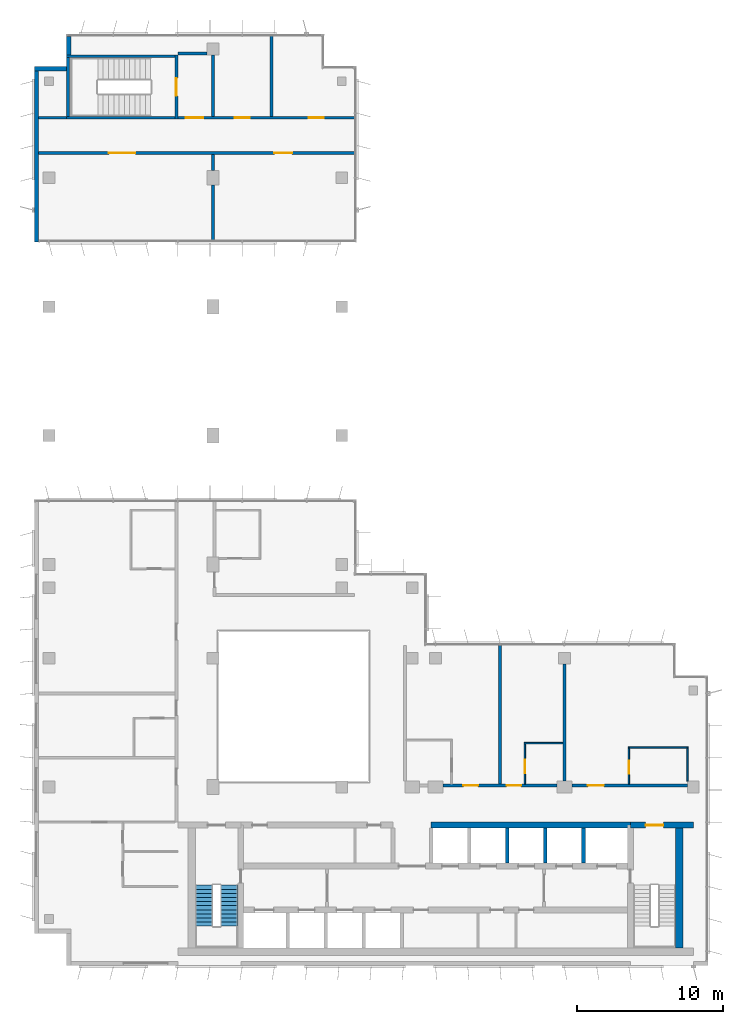
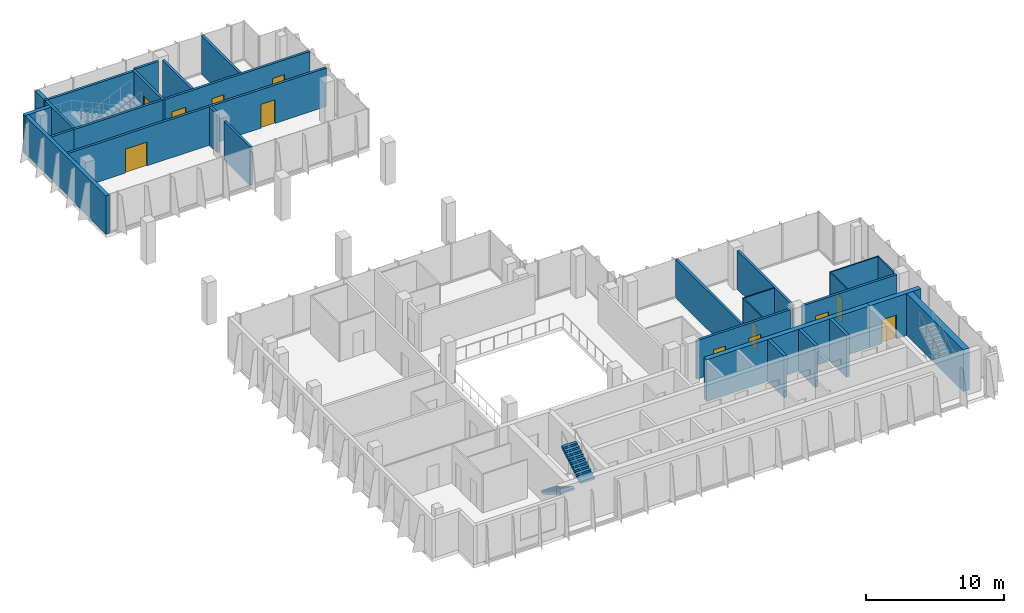
# One storey, part 11 of 14: 30 walls, 12 doors, 2 stair flights, 12 openings, 1 element without a shape of its own.
"""IFC4 building model written with IfcOpenShell, lengths in metres."""

from ifc_helpers import new_model, si_unit, direction, frame, frame_2d, origin, place, context, subcontext, project, spatial, polyline, rectangle, outline, extrude, material, layer, layer_set, type_object, element, fill, aggregate, save


model = new_model("IFC4")

# Units and contexts
model_context = context("Model", 3, precision=1e-05, world=origin(), true_north=direction((0.0, 1.0)))
body_context = subcontext(model_context, "Body", "Model", "MODEL_VIEW")
ifc_project = project(units=[si_unit("LENGTHUNIT", "METRE"), si_unit("AREAUNIT", "SQUARE_METRE"), si_unit("VOLUMEUNIT", "CUBIC_METRE"), si_unit("PLANEANGLEUNIT", "RADIAN"), si_unit("MASSUNIT", "GRAM", prefix="KILO")], contexts=[model_context])

# Site, building, storey
site_placement = place(None, origin())
site = spatial("IfcSite", under=ifc_project, at=site_placement, CompositionType="ELEMENT")
building_placement = place(site_placement, origin())
building = spatial("IfcBuilding", under=site, at=building_placement, Name="Kemantara Hotel Tower", CompositionType="ELEMENT")
storey_placement = place(building_placement, frame((0.0, 0.0, 245.0)))
storey = spatial("IfcBuildingStorey", under=building, at=storey_placement, Name="L61", CompositionType="ELEMENT", Elevation=245.0)

# Walls
ifc_material_1 = material(Name="Bronze anodised aluminium cladding on insulated steel stud wall", Category="steel")
ifc_layer_1 = layer(ifc_material_1, 0.300048828125)
ifc_layer_set_1 = layer_set([ifc_layer_1], Name="Bronze anodised aluminium cladding on insulated steel stud wall")
wall_type_1 = type_object("IfcWallType", Name="BRONZE METAL-CLAD EXTERNAL WALL 300", PredefinedType="STANDARD", material=ifc_layer_set_1)
wall_1_placement = place(storey_placement, frame((2.35009765625, 63.449951171875, 0.0), z_axis=(0.0, 0.0, 1.0), x_axis=(0.0, -1.0, 0.0)))
element("IfcWall", 1, at=wall_1_placement, inside=storey, type_object=wall_type_1, Name="EXTERNAL WALL L61 T4P-R17", PredefinedType="STANDARD", context=body_context, shape_type="SweptSolid", body=[
    extrude(rectangle(XDim=1.25, YDim=0.300048828125, at=frame_2d((0.625, 0.0))), origin(), (0.0, 0.0, 1.0), 3.39990234375),
])
wall_2_placement = place(storey_placement, frame((2.199951171875, 61.25, 0.0), z_axis=(0.0, 0.0, 1.0), x_axis=(-1.0, 0.0, 0.0)))
element("IfcWall", 2, at=wall_2_placement, inside=storey, type_object=wall_type_1, Name="EXTERNAL WALL L61 T4P-R18", PredefinedType="STANDARD", context=body_context, shape_type="SweptSolid", body=[
    extrude(rectangle(XDim=2.199951171875, YDim=0.300048828125, at=frame_2d((1.10009765625, 0.0))), origin(), (0.0, 0.0, 1.0), 3.39990234375),
])
wall_3_placement = place(storey_placement, frame((0.14990234375, 61.10009765625, 0.0), z_axis=(0.0, 0.0, 1.0), x_axis=(0.0, -1.0, 0.0)))
element("IfcWall", 3, at=wall_3_placement, inside=storey, type_object=wall_type_1, Name="EXTERNAL WALL L61 T4P-R19", PredefinedType="STANDARD", context=body_context, shape_type="SweptSolid", body=[
    extrude(rectangle(XDim=11.7001953125, YDim=0.300048828125, at=frame_2d((5.85009765625, 0.0))), origin(), (0.0, 0.0, 1.0), 3.39990234375),
])
ifc_material_2 = material(Name="Concrete fc 60 MPa", Category="concrete")
ifc_layer_2 = layer(ifc_material_2, 0.25)
ifc_layer_set_2 = layer_set([ifc_layer_2], Name="Concrete fc 60 MPa")
wall_type_2 = type_object("IfcWallType", Name="CORE WALL 250 FC60", PredefinedType="SHEAR", material=ifc_layer_set_2)
for number, where, z_axis, x_axis, name in (
    (4, (32.300048828125, 7.0, 0.0), (0.0, 0.0, 1.0), (0.0, 1.0, 0.0), "CORE WALL CW-DN32.3"),
    (5, (34.89990234375, 7.0, 0.0), (0.0, 0.0, 1.0), (0.0, 1.0, 0.0), "CORE WALL CW-DN34.9"),
    (6, (37.5, 7.0, 0.0), (0.0, 0.0, 1.0), (0.0, 1.0, 0.0), "CORE WALL CW-DN37.5"),
):
    element("IfcWall", number, at=place(storey_placement, frame(where, z_axis=z_axis, x_axis=x_axis)), inside=storey, type_object=wall_type_2, Name=name, PredefinedType="SHEAR", context=body_context, shape_type="SweptSolid", body=[
        extrude(rectangle(XDim=2.39990234375, YDim=0.25, at=frame_2d((1.199951171875, 0.0))), origin(), (0.0, 0.0, 1.0), 3.699951171875),
    ])

# Wall, opening, door
ifc_layer_3 = layer(ifc_material_2, 0.39990234375)
ifc_layer_set_3 = layer_set([ifc_layer_3], Name="Concrete fc 60 MPa")
wall_type_3 = type_object("IfcWallType", Name="CORE WALL 400 FC60", PredefinedType="SHEAR", material=ifc_layer_set_3)
wall_4_placement = place(storey_placement, frame((40.699951171875, 9.60009765625, 0.0), z_axis=(0.0, 0.0, 1.0), x_axis=(1.0, 0.0, 0.0)))
wall_4 = element("IfcWall", 7, at=wall_4_placement, inside=storey, type_object=wall_type_3, Name="CORE WALL CW-N2", PredefinedType="SHEAR", context=body_context, shape_type="SweptSolid", body=[
    extrude(rectangle(XDim=4.300048828125, YDim=0.39990234375, at=frame_2d((2.14990234375, 0.0))), origin(), (0.0, 0.0, 1.0), 3.699951171875),
])
opening_1_placement = place(wall_4_placement, frame((1.050048828125, 0.0, 0.0)))
opening_1 = element("IfcOpeningElement", 8, at=opening_1_placement, cuts=wall_4, Name="Opening C36-ST2-C", PredefinedType="OPENING", context=body_context, shape_type="SweptSolid", body=[
    extrude(rectangle(XDim=1.199951171875, YDim=2.10009765625, at=frame_2d((0.60009765625, 1.050048828125))), frame((0.0, 0.2099609375, 0.0), z_axis=(0.0, -1.0, 0.0), x_axis=(1.0, 0.0, 0.0)), (0.0, 0.0, 1.0), 0.419921875),
])
ifc_material_3 = material(Name="Steel fire door", Category="steel")
door_type_1 = type_object("IfcDoorType", Name="Fire door FD90 1200 x 2100", OperationType="NOTDEFINED", PredefinedType="DOOR", material=ifc_material_3)
door_1_placement = place(opening_1_placement, frame((1.199951171875, 0.0, 0.0), z_axis=(0.0, 0.0, 1.0), x_axis=(-1.0, 0.0, 0.0)))
door_1 = element("IfcDoor", 9, at=door_1_placement, inside=storey, type_object=door_type_1, Name="Stair ST2 door to corridor", OperationType="SINGLE_SWING_RIGHT", OverallHeight=2.10009765625, OverallWidth=1.199951171875, PredefinedType="DOOR", context=body_context, shape_type="SweptSolid", body=[
    extrude(rectangle(XDim=1.199951171875, YDim=2.10009765625, at=frame_2d((0.60009765625, 1.050048828125))), frame((0.0, 0.02490234375, 0.0), z_axis=(0.0, -1.0, 0.0), x_axis=(1.0, 0.0, 0.0)), (0.0, 0.0, 1.0), 0.050048828125),
])
fill(opening_1, door_1)

# Walls
wall_5_placement = place(storey_placement, frame((27.10009765625, 9.60009765625, 0.0), z_axis=(0.0, 0.0, 1.0), x_axis=(1.0, 0.0, 0.0)))
element("IfcWall", 10, at=wall_5_placement, inside=storey, type_object=wall_type_3, Name="CORE WALL CW-NN2", PredefinedType="SHEAR", context=body_context, shape_type="SweptSolid", body=[
    extrude(rectangle(XDim=13.599853515625, YDim=0.39990234375, at=frame_2d((6.7998046875, 0.0))), origin(), (0.0, 0.0, 1.0), 3.699951171875),
])
ifc_layer_4 = layer(ifc_material_2, 0.5)
ifc_layer_set_4 = layer_set([ifc_layer_4], Name="Concrete fc 60 MPa")
wall_type_4 = type_object("IfcWallType", Name="CORE WALL 500 FC60", PredefinedType="SHEAR", material=ifc_layer_set_4)
wall_6_placement = place(storey_placement, frame((44.050048828125, 1.199951171875, 0.0), z_axis=(0.0, 0.0, 1.0), x_axis=(0.0, 1.0, 0.0)))
element("IfcWall", 11, at=wall_6_placement, inside=storey, type_object=wall_type_4, Name="CORE WALL CW-E", PredefinedType="SHEAR", context=body_context, shape_type="SweptSolid", body=[
    extrude(rectangle(XDim=8.60009765625, YDim=0.5, at=frame_2d((4.300048828125, 0.0))), origin(), (0.0, 0.0, 1.0), 3.699951171875),
])

# Wall, openings, doors
ifc_material_4 = material(Name="Gypsum board partition, steel studs and mineral wool, 200 mm", Category="steel")
ifc_layer_5 = layer(ifc_material_4, 0.199951171875)
ifc_layer_set_5 = layer_set([ifc_layer_5], Name="Gypsum board partition, steel studs and mineral wool, 200 mm")
wall_type_5 = type_object("IfcWallType", Name="CORRIDOR WALL 200", PredefinedType="PARTITIONING", material=ifc_layer_set_5)
wall_7_placement = place(storey_placement, frame((27.900146484375, 12.300048828125, 0.0), z_axis=(0.0, 0.0, 1.0), x_axis=(1.0, 0.0, 0.0)))
wall_7 = element("IfcWall", 12, at=wall_7_placement, inside=storey, type_object=wall_type_5, Name="CORRIDOR WALL 200 010", PredefinedType="PARTITIONING", context=body_context, shape_type="SweptSolid", body=[
    extrude(rectangle(XDim=7.7998046875, YDim=0.199951171875, at=frame_2d((3.89990234375, 0.0))), origin(), (0.0, 0.0, 1.0), 3.39990234375),
])
opening_2_placement = place(wall_7_placement, frame((1.39990234375, 0.0, 0.0)))
opening_2 = element("IfcOpeningElement", 13, at=opening_2_placement, cuts=wall_7, Name="Opening F30-001", PredefinedType="OPENING", context=body_context, shape_type="SweptSolid", body=[
    extrude(rectangle(XDim=1.0, YDim=2.10009765625, at=frame_2d((0.5, 1.050048828125))), frame((0.0, 0.10986328125, 0.0), z_axis=(0.0, -1.0, 0.0), x_axis=(1.0, 0.0, 0.0)), (0.0, 0.0, 1.0), 0.219970703125),
])
opening_3_placement = place(wall_7_placement, frame((4.349853515625, 0.0, 0.0)))
opening_3 = element("IfcOpeningElement", 14, at=opening_3_placement, cuts=wall_7, Name="Opening F30-003", PredefinedType="OPENING", context=body_context, shape_type="SweptSolid", body=[
    extrude(rectangle(XDim=1.0, YDim=2.10009765625, at=frame_2d((0.5, 1.050048828125))), frame((0.0, 0.10986328125, 0.0), z_axis=(0.0, -1.0, 0.0), x_axis=(1.0, 0.0, 0.0)), (0.0, 0.0, 1.0), 0.219970703125),
])
ifc_material_5 = material(Name="Hardwood veneer door leaf with steel frame", Category="steel")
door_type_2 = type_object("IfcDoorType", Name="GUEST ROOM DOOR 1000 X 2100 FD30S", OperationType="NOTDEFINED", PredefinedType="DOOR", material=ifc_material_5)
door_2_placement = place(opening_2_placement, origin())
door_2 = element("IfcDoor", 15, at=door_2_placement, inside=storey, type_object=door_type_2, Name="GUEST ROOM DOOR F30-001", OperationType="SINGLE_SWING_RIGHT", OverallHeight=2.10009765625, OverallWidth=1.0, PredefinedType="DOOR", context=body_context, shape_type="SweptSolid", body=[
    extrude(rectangle(XDim=1.0, YDim=2.10009765625, at=frame_2d((0.5, 1.050048828125))), frame((0.0, 0.02490234375, 0.0), z_axis=(0.0, -1.0, 0.0), x_axis=(1.0, 0.0, 0.0)), (0.0, 0.0, 1.0), 0.050048828125),
])
fill(opening_2, door_2)
door_3_placement = place(opening_3_placement, origin())
door_3 = element("IfcDoor", 16, at=door_3_placement, inside=storey, type_object=door_type_2, Name="GUEST ROOM DOOR F30-003", OperationType="SINGLE_SWING_LEFT", OverallHeight=2.10009765625, OverallWidth=1.0, PredefinedType="DOOR", context=body_context, shape_type="SweptSolid", body=[
    extrude(rectangle(XDim=1.0, YDim=2.10009765625, at=frame_2d((0.5, 1.050048828125))), frame((0.0, 0.02490234375, 0.0), z_axis=(0.0, -1.0, 0.0), x_axis=(1.0, 0.0, 0.0)), (0.0, 0.0, 1.0), 0.050048828125),
])
fill(opening_3, door_3)

# Wall, opening, door
wall_8_placement = place(storey_placement, frame((36.7001953125, 12.300048828125, 0.0), z_axis=(0.0, 0.0, 1.0), x_axis=(1.0, 0.0, 0.0)))
wall_8 = element("IfcWall", 17, at=wall_8_placement, inside=storey, type_object=wall_type_5, Name="CORRIDOR WALL 200 011", PredefinedType="PARTITIONING", context=body_context, shape_type="SweptSolid", body=[
    extrude(rectangle(XDim=7.899658203125, YDim=0.199951171875, at=frame_2d((3.94970703125, 0.0))), origin(), (0.0, 0.0, 1.0), 3.39990234375),
])
opening_4_placement = place(wall_8_placement, frame((1.099853515625, 0.0, 0.0)))
opening_4 = element("IfcOpeningElement", 18, at=opening_4_placement, cuts=wall_8, Name="Opening F30-005", PredefinedType="OPENING", context=body_context, shape_type="SweptSolid", body=[
    extrude(rectangle(XDim=1.10009765625, YDim=2.10009765625, at=frame_2d((0.550048828125, 1.050048828125))), frame((0.0, 0.10986328125, 0.0), z_axis=(0.0, -1.0, 0.0), x_axis=(1.0, 0.0, 0.0)), (0.0, 0.0, 1.0), 0.219970703125),
])
door_type_3 = type_object("IfcDoorType", Name="SUITE ENTRANCE DOOR 1100 X 2100 FD30S", OperationType="NOTDEFINED", PredefinedType="DOOR", material=ifc_material_5)
door_4_placement = place(opening_4_placement, origin())
door_4 = element("IfcDoor", 19, at=door_4_placement, inside=storey, type_object=door_type_3, Name="SUITE ENTRANCE DOOR F30-005", OperationType="SINGLE_SWING_LEFT", OverallHeight=2.10009765625, OverallWidth=1.10009765625, PredefinedType="DOOR", context=body_context, shape_type="SweptSolid", body=[
    extrude(rectangle(XDim=1.10009765625, YDim=2.10009765625, at=frame_2d((0.550048828125, 1.050048828125))), frame((0.0, 0.02490234375, 0.0), z_axis=(0.0, -1.0, 0.0), x_axis=(1.0, 0.0, 0.0)), (0.0, 0.0, 1.0), 0.050048828125),
])
fill(opening_4, door_4)

ifc_material_6 = material(Name="Concrete fc 40 MPa", Category="concrete")
ifc_layer_6 = layer(ifc_material_6, 0.199951171875)
ifc_layer_set_6 = layer_set([ifc_layer_6], Name="Concrete fc 40 MPa")
wall_type_6 = type_object("IfcWallType", Name="Concrete stair wall 200 mm", PredefinedType="SHEAR", material=ifc_layer_set_6)
wall_9_placement = place(storey_placement, frame((9.699951171875, 57.800048828125, 0.0), z_axis=(0.0, 0.0, 1.0), x_axis=(0.0, 1.0, 0.0)))
wall_9 = element("IfcWall", 20, at=wall_9_placement, inside=storey, type_object=wall_type_6, Name="Stair ST4 enclosure wall with door", PredefinedType="SHEAR", context=body_context, shape_type="SweptSolid", body=[
    extrude(rectangle(XDim=4.39990234375, YDim=0.199951171875, at=frame_2d((2.199951171875, 0.0))), origin(), (0.0, 0.0, 1.0), 3.39990234375),
])
opening_5_placement = place(wall_9_placement, frame((1.60009765625, 0.0, 0.0)))
opening_5 = element("IfcOpeningElement", 21, at=opening_5_placement, cuts=wall_9, Name="Opening ST4-C", PredefinedType="OPENING", context=body_context, shape_type="SweptSolid", body=[
    extrude(rectangle(XDim=1.199951171875, YDim=2.10009765625, at=frame_2d((0.60009765625, 1.050048828125))), frame((0.0, 0.10986328125, 0.0), z_axis=(0.0, -1.0, 0.0), x_axis=(1.0, 0.0, 0.0)), (0.0, 0.0, 1.0), 0.219970703125),
])
door_5_placement = place(opening_5_placement, origin())
door_5 = element("IfcDoor", 22, at=door_5_placement, inside=storey, type_object=door_type_1, Name="Stair ST4 door", OperationType="SINGLE_SWING_RIGHT", OverallHeight=2.10009765625, OverallWidth=1.199951171875, PredefinedType="DOOR", context=body_context, shape_type="SweptSolid", body=[
    extrude(rectangle(XDim=1.199951171875, YDim=2.10009765625, at=frame_2d((0.60009765625, 1.050048828125))), frame((0.0, 0.02490234375, 0.0), z_axis=(0.0, -1.0, 0.0), x_axis=(1.0, 0.0, 0.0)), (0.0, 0.0, 1.0), 0.050048828125),
])
fill(opening_5, door_5)

# Walls
for number, where, z_axis, x_axis, name in (
    (23, (2.199951171875, 62.10009765625, 0.0), (0.0, 0.0, 1.0), (1.0, 0.0, 0.0), "Stair ST4 enclosure wall N"),
    (24, (2.199951171875, 57.89990234375, 0.0), (0.0, 0.0, 1.0), (1.0, 0.0, 0.0), "Stair ST4 enclosure wall S"),
):
    element("IfcWall", number, at=place(storey_placement, frame(where, z_axis=z_axis, x_axis=x_axis)), inside=storey, type_object=wall_type_6, Name=name, PredefinedType="SHEAR", context=body_context, shape_type="SweptSolid", body=[
        extrude(rectangle(XDim=7.400146484375, YDim=0.199951171875, at=frame_2d((3.7001953125, 0.0))), origin(), (0.0, 0.0, 1.0), 3.39990234375),
    ])
wall_10_placement = place(storey_placement, frame((2.300048828125, 58.0, 0.0), z_axis=(0.0, 0.0, 1.0), x_axis=(0.0, 1.0, 0.0)))
element("IfcWall", 25, at=wall_10_placement, inside=storey, type_object=wall_type_6, Name="Stair ST4 enclosure wall W", PredefinedType="SHEAR", context=body_context, shape_type="SweptSolid", body=[
    extrude(rectangle(XDim=4.0, YDim=0.199951171875, at=frame_2d((2.0, 0.0))), origin(), (0.0, 0.0, 1.0), 3.39990234375),
])
ifc_layer_7 = layer(ifc_material_4, 0.199951171875)
ifc_layer_set_7 = layer_set([ifc_layer_7], Name="Gypsum board partition, steel studs and mineral wool, 200 mm")
wall_type_7 = type_object("IfcWallType", Name="GUEST ROOM PARTY WALL 200", PredefinedType="PARTITIONING", material=ifc_layer_set_7)
wall_11_placement = place(storey_placement, frame((31.800048828125, 12.39990234375, 0.0), z_axis=(0.0, 0.0, 1.0), x_axis=(0.0, 1.0, 0.0)))
element("IfcWall", 26, at=wall_11_placement, inside=storey, type_object=wall_type_7, Name="GUEST ROOM PARTY WALL 200 013", PredefinedType="PARTITIONING", context=body_context, shape_type="SweptSolid", body=[
    extrude(rectangle(XDim=9.47021484375, YDim=0.199951171875, at=frame_2d((4.735107421875, 0.0))), origin(), (0.0, 0.0, 1.0), 3.39990234375),
])
wall_12_placement = place(storey_placement, frame((36.199951171875, 12.60009765625, 0.0), z_axis=(0.0, 0.0, 1.0), x_axis=(0.0, 1.0, 0.0)))
element("IfcWall", 27, at=wall_12_placement, inside=storey, type_object=wall_type_7, Name="GUEST ROOM PARTY WALL 200 014", PredefinedType="PARTITIONING", context=body_context, shape_type="SweptSolid", body=[
    extrude(rectangle(XDim=7.999755859375, YDim=0.199951171875, at=frame_2d((4.0, 0.0))), origin(), (0.0, 0.0, 1.0), 3.39990234375),
])

# Wall, openings, doors
ifc_material_7 = material(Name="Gypsum board partition, steel studs and mineral wool, double layer, 200 mm", Category="steel")
ifc_layer_8 = layer(ifc_material_7, 0.199951171875)
ifc_layer_set_8 = layer_set([ifc_layer_8], Name="Gypsum board partition, steel studs and mineral wool, double layer, 200 mm")
wall_type_8 = type_object("IfcWallType", Name="PLANT ROOM WALL 200", PredefinedType="PARTITIONING", material=ifc_layer_set_8)
wall_13_placement = place(storey_placement, frame((0.300048828125, 55.5, 0.0), z_axis=(0.0, 0.0, 1.0), x_axis=(1.0, 0.0, 0.0)))
wall_13 = element("IfcWall", 28, at=wall_13_placement, inside=storey, type_object=wall_type_8, Name="PLANT ROOM WALL 200 001", PredefinedType="PARTITIONING", context=body_context, shape_type="SweptSolid", body=[
    extrude(rectangle(XDim=21.579833984375, YDim=0.199951171875, at=frame_2d((10.7900390625, 0.0))), origin(), (0.0, 0.0, 1.0), 3.39990234375),
])
opening_6_placement = place(wall_13_placement, frame((4.7998046875, 0.0, 0.0)))
opening_6 = element("IfcOpeningElement", 29, at=opening_6_placement, cuts=wall_13, Name="Opening F30-017", PredefinedType="OPENING", context=body_context, shape_type="SweptSolid", body=[
    extrude(rectangle(XDim=1.800048828125, YDim=2.10009765625, at=frame_2d((0.89990234375, 1.050048828125))), frame((0.0, 0.10986328125, 0.0), z_axis=(0.0, -1.0, 0.0), x_axis=(1.0, 0.0, 0.0)), (0.0, 0.0, 1.0), 0.219970703125),
])
opening_7_placement = place(wall_13_placement, frame((16.099853515625, 0.0, 0.0)))
opening_7 = element("IfcOpeningElement", 30, at=opening_7_placement, cuts=wall_13, Name="Opening F30-018", PredefinedType="OPENING", context=body_context, shape_type="SweptSolid", body=[
    extrude(rectangle(XDim=1.199951171875, YDim=2.10009765625, at=frame_2d((0.60009765625, 1.050048828125))), frame((0.0, 0.10986328125, 0.0), z_axis=(0.0, -1.0, 0.0), x_axis=(1.0, 0.0, 0.0)), (0.0, 0.0, 1.0), 0.219970703125),
])
ifc_material_8 = material(Name="Steel door leaf with steel frame", Category="steel")
door_type_4 = type_object("IfcDoorType", Name="SERVICE ROOM DOOR 1200 X 2100 FD60", OperationType="NOTDEFINED", PredefinedType="DOOR", material=ifc_material_8)
door_6_placement = place(opening_7_placement, origin())
door_6 = element("IfcDoor", 31, at=door_6_placement, inside=storey, type_object=door_type_4, Name="SERVICE ROOM DOOR F30-018", OperationType="SINGLE_SWING_LEFT", OverallHeight=2.10009765625, OverallWidth=1.199951171875, PredefinedType="DOOR", context=body_context, shape_type="SweptSolid", body=[
    extrude(rectangle(XDim=1.199951171875, YDim=2.10009765625, at=frame_2d((0.60009765625, 1.050048828125))), frame((0.0, 0.02490234375, 0.0), z_axis=(0.0, -1.0, 0.0), x_axis=(1.0, 0.0, 0.0)), (0.0, 0.0, 1.0), 0.050048828125),
])
fill(opening_7, door_6)
door_type_5 = type_object("IfcDoorType", Name="SERVICE ROOM DOOR 1800 X 2100 FD60", OperationType="NOTDEFINED", PredefinedType="DOOR", material=ifc_material_8)
door_7_placement = place(opening_6_placement, origin())
door_7 = element("IfcDoor", 32, at=door_7_placement, inside=storey, type_object=door_type_5, Name="SERVICE ROOM DOOR F30-017", OperationType="DOUBLE_DOOR_SINGLE_SWING", OverallHeight=2.10009765625, OverallWidth=1.800048828125, PredefinedType="DOOR", context=body_context, shape_type="SweptSolid", body=[
    extrude(rectangle(XDim=1.800048828125, YDim=2.10009765625, at=frame_2d((0.89990234375, 1.050048828125))), frame((0.0, 0.02490234375, 0.0), z_axis=(0.0, -1.0, 0.0), x_axis=(1.0, 0.0, 0.0)), (0.0, 0.0, 1.0), 0.050048828125),
])
fill(opening_6, door_7)

# Walls
wall_14_placement = place(storey_placement, frame((12.199951171875, 49.52001953125, 0.0), z_axis=(0.0, 0.0, 1.0), x_axis=(0.0, 1.0, 0.0)))
element("IfcWall", 33, at=wall_14_placement, inside=storey, type_object=wall_type_8, Name="PLANT ROOM WALL 200 002", PredefinedType="PARTITIONING", context=body_context, shape_type="SweptSolid", body=[
    extrude(rectangle(XDim=3.77978515625, YDim=0.199951171875, at=frame_2d((1.889892578125, 0.0))), origin(), (0.0, 0.0, 1.0), 3.39990234375),
])
wall_15_placement = place(storey_placement, frame((12.199951171875, 54.300048828125, 0.0), z_axis=(0.0, 0.0, 1.0), x_axis=(0.0, 1.0, 0.0)))
element("IfcWall", 34, at=wall_15_placement, inside=storey, type_object=wall_type_8, Name="PLANT ROOM WALL 200 003", PredefinedType="PARTITIONING", context=body_context, shape_type="SweptSolid", body=[
    extrude(rectangle(XDim=1.099853515625, YDim=0.199951171875, at=frame_2d((0.5498046875, 0.0))), origin(), (0.0, 0.0, 1.0), 3.39990234375),
])
wall_16_placement = place(storey_placement, frame((12.199951171875, 58.0, 0.0), z_axis=(0.0, 0.0, 1.0), x_axis=(0.0, 1.0, 0.0)))
element("IfcWall", 35, at=wall_16_placement, inside=storey, type_object=wall_type_8, Name="PLANT ROOM WALL 200 004", PredefinedType="PARTITIONING", context=body_context, shape_type="SweptSolid", body=[
    extrude(rectangle(XDim=4.199951171875, YDim=0.199951171875, at=frame_2d((2.10009765625, 0.0))), origin(), (0.0, 0.0, 1.0), 3.39990234375),
])
wall_17_placement = place(storey_placement, frame((0.300048828125, 57.89990234375, 0.0), z_axis=(0.0, 0.0, 1.0), x_axis=(1.0, 0.0, 0.0)))
element("IfcWall", 36, at=wall_17_placement, inside=storey, type_object=wall_type_8, Name="PLANT ROOM WALL 200 005", PredefinedType="PARTITIONING", context=body_context, shape_type="SweptSolid", body=[
    extrude(rectangle(XDim=1.89990234375, YDim=0.199951171875, at=frame_2d((0.949951171875, 0.0))), origin(), (0.0, 0.0, 1.0), 3.39990234375),
])

# Wall, openings, doors
wall_18_placement = place(storey_placement, frame((21.8798828125, 57.89990234375, 0.0), z_axis=(0.0, 0.0, 1.0), x_axis=(-1.0, 0.0, 0.0)))
wall_18 = element("IfcWall", 37, at=wall_18_placement, inside=storey, type_object=wall_type_8, Name="PLANT ROOM WALL 200 006", PredefinedType="PARTITIONING", context=body_context, shape_type="SweptSolid", body=[
    extrude(rectangle(XDim=12.079833984375, YDim=0.199951171875, at=frame_2d((6.0400390625, 0.0))), origin(), (0.0, 0.0, 1.0), 3.39990234375),
])
opening_8_placement = place(wall_18_placement, frame((10.329833984375, 0.0, 0.0)))
opening_8 = element("IfcOpeningElement", 38, at=opening_8_placement, cuts=wall_18, Name="Opening F30-019", PredefinedType="OPENING", context=body_context, shape_type="SweptSolid", body=[
    extrude(rectangle(XDim=1.199951171875, YDim=2.10009765625, at=frame_2d((0.60009765625, 1.050048828125))), frame((0.0, 0.10986328125, 0.0), z_axis=(0.0, -1.0, 0.0), x_axis=(1.0, 0.0, 0.0)), (0.0, 0.0, 1.0), 0.219970703125),
])
opening_9_placement = place(wall_18_placement, frame((7.179931640625, 0.0, 0.0)))
opening_9 = element("IfcOpeningElement", 39, at=opening_9_placement, cuts=wall_18, Name="Opening F30-020", PredefinedType="OPENING", context=body_context, shape_type="SweptSolid", body=[
    extrude(rectangle(XDim=1.0, YDim=2.10009765625, at=frame_2d((0.5, 1.050048828125))), frame((0.0, 0.10986328125, 0.0), z_axis=(0.0, -1.0, 0.0), x_axis=(1.0, 0.0, 0.0)), (0.0, 0.0, 1.0), 0.219970703125),
])
opening_10_placement = place(wall_18_placement, frame((2.1298828125, 0.0, 0.0)))
opening_10 = element("IfcOpeningElement", 40, at=opening_10_placement, cuts=wall_18, Name="Opening F30-021", PredefinedType="OPENING", context=body_context, shape_type="SweptSolid", body=[
    extrude(rectangle(XDim=1.0, YDim=2.10009765625, at=frame_2d((0.5, 1.050048828125))), frame((0.0, 0.10986328125, 0.0), z_axis=(0.0, -1.0, 0.0), x_axis=(1.0, 0.0, 0.0)), (0.0, 0.0, 1.0), 0.219970703125),
])
door_type_6 = type_object("IfcDoorType", Name="SERVICE ROOM DOOR 1000 X 2100 FD60", OperationType="NOTDEFINED", PredefinedType="DOOR", material=ifc_material_8)
door_8_placement = place(opening_9_placement, origin())
door_8 = element("IfcDoor", 41, at=door_8_placement, inside=storey, type_object=door_type_6, Name="SERVICE ROOM DOOR F30-020", OperationType="SINGLE_SWING_RIGHT", OverallHeight=2.10009765625, OverallWidth=1.0, PredefinedType="DOOR", context=body_context, shape_type="SweptSolid", body=[
    extrude(rectangle(XDim=1.0, YDim=2.10009765625, at=frame_2d((0.5, 1.050048828125))), frame((0.0, 0.02490234375, 0.0), z_axis=(0.0, -1.0, 0.0), x_axis=(1.0, 0.0, 0.0)), (0.0, 0.0, 1.0), 0.050048828125),
])
fill(opening_9, door_8)
door_9_placement = place(opening_10_placement, origin())
door_9 = element("IfcDoor", 42, at=door_9_placement, inside=storey, type_object=door_type_6, Name="SERVICE ROOM DOOR F30-021", OperationType="SINGLE_SWING_RIGHT", OverallHeight=2.10009765625, OverallWidth=1.0, PredefinedType="DOOR", context=body_context, shape_type="SweptSolid", body=[
    extrude(rectangle(XDim=1.0, YDim=2.10009765625, at=frame_2d((0.5, 1.050048828125))), frame((0.0, 0.02490234375, 0.0), z_axis=(0.0, -1.0, 0.0), x_axis=(1.0, 0.0, 0.0)), (0.0, 0.0, 1.0), 0.050048828125),
])
fill(opening_10, door_9)
door_10_placement = place(opening_8_placement, origin())
door_10 = element("IfcDoor", 43, at=door_10_placement, inside=storey, type_object=door_type_4, Name="SERVICE ROOM DOOR F30-019", OperationType="SINGLE_SWING_RIGHT", OverallHeight=2.10009765625, OverallWidth=1.199951171875, PredefinedType="DOOR", context=body_context, shape_type="SweptSolid", body=[
    extrude(rectangle(XDim=1.199951171875, YDim=2.10009765625, at=frame_2d((0.60009765625, 1.050048828125))), frame((0.0, 0.02490234375, 0.0), z_axis=(0.0, -1.0, 0.0), x_axis=(1.0, 0.0, 0.0)), (0.0, 0.0, 1.0), 0.050048828125),
])
fill(opening_8, door_10)

# Walls
wall_19_placement = place(storey_placement, frame((16.199951171875, 58.0, 0.0), z_axis=(0.0, 0.0, 1.0), x_axis=(0.0, 1.0, 0.0)))
element("IfcWall", 44, at=wall_19_placement, inside=storey, type_object=wall_type_8, Name="PLANT ROOM WALL 200 007", PredefinedType="PARTITIONING", context=body_context, shape_type="SweptSolid", body=[
    extrude(rectangle(XDim=5.47998046875, YDim=0.199951171875, at=frame_2d((2.739990234375, 0.0))), origin(), (0.0, 0.0, 1.0), 3.39990234375),
])
wall_20_placement = place(storey_placement, frame((9.800048828125, 62.300048828125, 0.0), z_axis=(0.0, 0.0, 1.0), x_axis=(1.0, 0.0, 0.0)))
element("IfcWall", 45, at=wall_20_placement, inside=storey, type_object=wall_type_8, Name="PLANT ROOM WALL 200 008", PredefinedType="PARTITIONING", context=body_context, shape_type="SweptSolid", body=[
    extrude(rectangle(XDim=1.999755859375, YDim=0.199951171875, at=frame_2d((1.0, 0.0))), origin(), (0.0, 0.0, 1.0), 3.39990234375),
])
ifc_material_9 = material(Name="Gypsum board partition on steel studs, 100 mm", Category="steel")
ifc_layer_9 = layer(ifc_material_9, 0.10009765625)
ifc_layer_set_9 = layer_set([ifc_layer_9], Name="Gypsum board partition on steel studs, 100 mm")
wall_type_9 = type_object("IfcWallType", Name="ROOM PARTITION 100", PredefinedType="PARTITIONING", material=ifc_layer_set_9)
wall_21_placement = place(storey_placement, frame((33.449951171875, 15.199951171875, 0.0), z_axis=(0.0, 0.0, 1.0), x_axis=(1.0, 0.0, 0.0)))
element("IfcWall", 46, at=wall_21_placement, inside=storey, type_object=wall_type_9, Name="ROOM PARTITION 100 023", PredefinedType="PARTITIONING", context=body_context, shape_type="SweptSolid", body=[
    extrude(rectangle(XDim=2.650146484375, YDim=0.10009765625, at=frame_2d((1.3251953125, 0.0))), origin(), (0.0, 0.0, 1.0), 3.39990234375),
])

# Wall, opening, door
wall_22_placement = place(storey_placement, frame((33.5, 15.14990234375, 0.0), z_axis=(0.0, 0.0, 1.0), x_axis=(0.0, -1.0, 0.0)))
wall_22 = element("IfcWall", 47, at=wall_22_placement, inside=storey, type_object=wall_type_9, Name="ROOM PARTITION 100 024", PredefinedType="PARTITIONING", context=body_context, shape_type="SweptSolid", body=[
    extrude(rectangle(XDim=2.75, YDim=0.10009765625, at=frame_2d((1.375, 0.0))), origin(), (0.0, 0.0, 1.0), 3.39990234375),
])
opening_11_placement = place(wall_22_placement, frame((1.10009765625, 0.0, 0.0)))
opening_11 = element("IfcOpeningElement", 48, at=opening_11_placement, cuts=wall_22, Name="Opening F30-004", PredefinedType="OPENING", context=body_context, shape_type="SweptSolid", body=[
    extrude(rectangle(XDim=0.89990234375, YDim=2.10009765625, at=frame_2d((0.449951171875, 1.050048828125))), frame((0.0, 0.06005859375, 0.0), z_axis=(0.0, -1.0, 0.0), x_axis=(1.0, 0.0, 0.0)), (0.0, 0.0, 1.0), 0.1201171875),
])
door_type_7 = type_object("IfcDoorType", Name="BATHROOM DOOR 900 X 2100", OperationType="NOTDEFINED", PredefinedType="DOOR", material=ifc_material_5)
door_11_placement = place(opening_11_placement, origin())
door_11 = element("IfcDoor", 49, at=door_11_placement, inside=storey, type_object=door_type_7, Name="BATHROOM DOOR F30-004", OperationType="SINGLE_SWING_RIGHT", OverallHeight=2.10009765625, OverallWidth=0.89990234375, PredefinedType="DOOR", context=body_context, shape_type="SweptSolid", body=[
    extrude(rectangle(XDim=0.89990234375, YDim=2.10009765625, at=frame_2d((0.449951171875, 1.050048828125))), frame((0.0, 0.02490234375, 0.0), z_axis=(0.0, -1.0, 0.0), x_axis=(1.0, 0.0, 0.0)), (0.0, 0.0, 1.0), 0.050048828125),
])
fill(opening_11, door_11)

# Wall
wall_23_placement = place(storey_placement, frame((40.550048828125, 14.89990234375, 0.0), z_axis=(0.0, 0.0, 1.0), x_axis=(1.0, 0.0, 0.0)))
element("IfcWall", 50, at=wall_23_placement, inside=storey, type_object=wall_type_9, Name="ROOM PARTITION 100 025", PredefinedType="PARTITIONING", context=body_context, shape_type="SweptSolid", body=[
    extrude(rectangle(XDim=4.099853515625, YDim=0.10009765625, at=frame_2d((2.0498046875, 0.0))), origin(), (0.0, 0.0, 1.0), 3.39990234375),
])

# Wall, opening, door
wall_24_placement = place(storey_placement, frame((40.60009765625, 14.85009765625, 0.0), z_axis=(0.0, 0.0, 1.0), x_axis=(0.0, -1.0, 0.0)))
wall_24 = element("IfcWall", 51, at=wall_24_placement, inside=storey, type_object=wall_type_9, Name="ROOM PARTITION 100 026", PredefinedType="PARTITIONING", context=body_context, shape_type="SweptSolid", body=[
    extrude(rectangle(XDim=2.4501953125, YDim=0.10009765625, at=frame_2d((1.22509765625, 0.0))), origin(), (0.0, 0.0, 1.0), 3.39990234375),
])
opening_12_placement = place(wall_24_placement, frame((0.85009765625, 0.0, 0.0)))
opening_12 = element("IfcOpeningElement", 52, at=opening_12_placement, cuts=wall_24, Name="Opening F30-006", PredefinedType="OPENING", context=body_context, shape_type="SweptSolid", body=[
    extrude(rectangle(XDim=0.89990234375, YDim=2.10009765625, at=frame_2d((0.449951171875, 1.050048828125))), frame((0.0, 0.06005859375, 0.0), z_axis=(0.0, -1.0, 0.0), x_axis=(1.0, 0.0, 0.0)), (0.0, 0.0, 1.0), 0.1201171875),
])
door_12_placement = place(opening_12_placement, origin())
door_12 = element("IfcDoor", 53, at=door_12_placement, inside=storey, type_object=door_type_7, Name="BATHROOM DOOR F30-006", OperationType="SINGLE_SWING_RIGHT", OverallHeight=2.10009765625, OverallWidth=0.89990234375, PredefinedType="DOOR", context=body_context, shape_type="SweptSolid", body=[
    extrude(rectangle(XDim=0.89990234375, YDim=2.10009765625, at=frame_2d((0.449951171875, 1.050048828125))), frame((0.0, 0.02490234375, 0.0), z_axis=(0.0, -1.0, 0.0), x_axis=(1.0, 0.0, 0.0)), (0.0, 0.0, 1.0), 0.050048828125),
])
fill(opening_12, door_12)

# Wall
wall_25_placement = place(storey_placement, frame((44.60009765625, 12.60009765625, 0.0), z_axis=(0.0, 0.0, 1.0), x_axis=(0.0, 1.0, 0.0)))
element("IfcWall", 54, at=wall_25_placement, inside=storey, type_object=wall_type_9, Name="ROOM PARTITION 100 027", PredefinedType="PARTITIONING", context=body_context, shape_type="SweptSolid", body=[
    extrude(rectangle(XDim=2.25, YDim=0.10009765625, at=frame_2d((1.125, 0.0))), origin(), (0.0, 0.0, 1.0), 3.39990234375),
])

# Stair, stair flights
stair_type = type_object("IfcStairType", Name="Stair 1200 wide 22 risers of 168 x 280 mm", PredefinedType="HALF_TURN_STAIR", material=ifc_material_6)
stair_placement = place(storey_placement, origin())
stair = element("IfcStair", 55, at=stair_placement, inside=storey, type_object=stair_type, Name="L61 Exit stair ST1", PredefinedType="HALF_TURN_STAIR")
stair_flight_type = type_object("IfcStairFlightType", Name="Stair flight 1200 wide 168 x 280 mm", PredefinedType="STRAIGHT", material=ifc_material_6)
stair_flight_1_placement = place(storey_placement, frame((11.60009765625, 5.5, 0.0), z_axis=(0.0, 0.0, 1.0), x_axis=(0.0, -1.0, 0.0)))
stair_flight_1 = element("IfcStairFlight", 56, at=stair_flight_1_placement, type_object=stair_flight_type, Name="ST1 flight 1", NumberOfRisers=11, NumberOfTreads=10, PredefinedType="STRAIGHT", RiserHeight=0.168181818, TreadLength=0.28, context=body_context, shape_type="SweptSolid", body=[
    extrude(outline(polyline([(0.0, 0.0), (0.0, 0.168212890625), (0.280029296875, 0.168212890625), (0.280029296875, 0.33642578125), (0.56005859375, 0.33642578125), (0.56005859375, 0.504638671875), (0.840087890625, 0.504638671875), (0.840087890625, 0.672607421875), (1.1201171875, 0.672607421875), (1.1201171875, 0.8408203125), (1.39990234375, 0.8408203125), (1.39990234375, 1.009033203125), (1.679931640625, 1.009033203125), (1.679931640625, 1.17724609375), (1.9599609375, 1.17724609375), (1.9599609375, 1.345458984375), (2.239990234375, 1.345458984375), (2.239990234375, 1.513671875), (2.52001953125, 1.513671875), (2.52001953125, 1.681884765625), (2.800048828125, 1.681884765625), (2.800048828125, 1.85009765625), (2.800048828125, 1.5068359375), (0.291015625, 0.0), (0.0, 0.0)])), frame((0.0, 0.60009765625, 0.0), z_axis=(0.0, -1.0, 0.0), x_axis=(1.0, 0.0, 0.0)), (0.0, 0.0, 1.0), 1.199951171875),
])
stair_flight_2_placement = place(storey_placement, frame((13.300048828125, 2.699951171875, 1.85009765625), z_axis=(0.0, 0.0, 1.0), x_axis=(0.0, 1.0, 0.0)))
stair_flight_2 = element("IfcStairFlight", 57, at=stair_flight_2_placement, type_object=stair_flight_type, Name="ST1 flight 2", NumberOfRisers=11, NumberOfTreads=10, PredefinedType="STRAIGHT", RiserHeight=0.168181818, TreadLength=0.28, context=body_context, shape_type="SweptSolid", body=[
    extrude(outline(polyline([(0.0, 0.0), (0.0, 0.168212890625), (0.280029296875, 0.168212890625), (0.280029296875, 0.33642578125), (0.56005859375, 0.33642578125), (0.56005859375, 0.504638671875), (0.840087890625, 0.504638671875), (0.840087890625, 0.672607421875), (1.1201171875, 0.672607421875), (1.1201171875, 0.8408203125), (1.39990234375, 0.8408203125), (1.39990234375, 1.009033203125), (1.679931640625, 1.009033203125), (1.679931640625, 1.17724609375), (1.9599609375, 1.17724609375), (1.9599609375, 1.345458984375), (2.239990234375, 1.345458984375), (2.239990234375, 1.513671875), (2.52001953125, 1.513671875), (2.52001953125, 1.681884765625), (2.800048828125, 1.681884765625), (2.800048828125, 1.85009765625), (2.800048828125, 1.5068359375), (0.291015625, 0.0), (0.0, 0.0)])), frame((0.0, 0.60009765625, 0.0), z_axis=(0.0, -1.0, 0.0), x_axis=(1.0, 0.0, 0.0)), (0.0, 0.0, 1.0), 1.199951171875),
])
aggregate(stair, [stair_flight_1, stair_flight_2])

save(model, "model.ifc")
